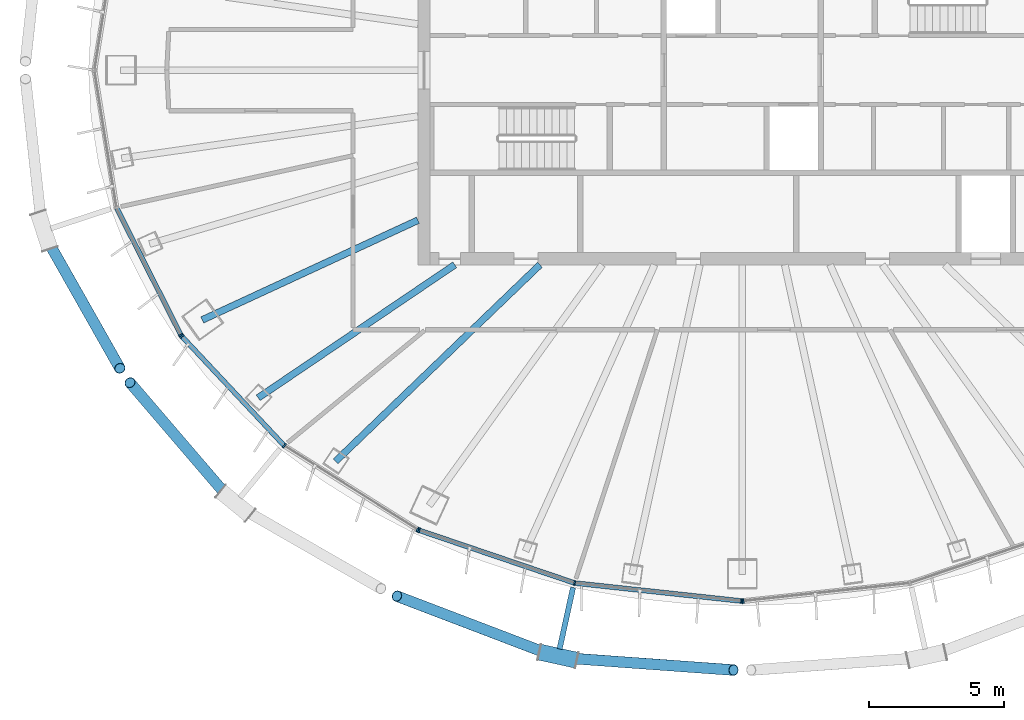
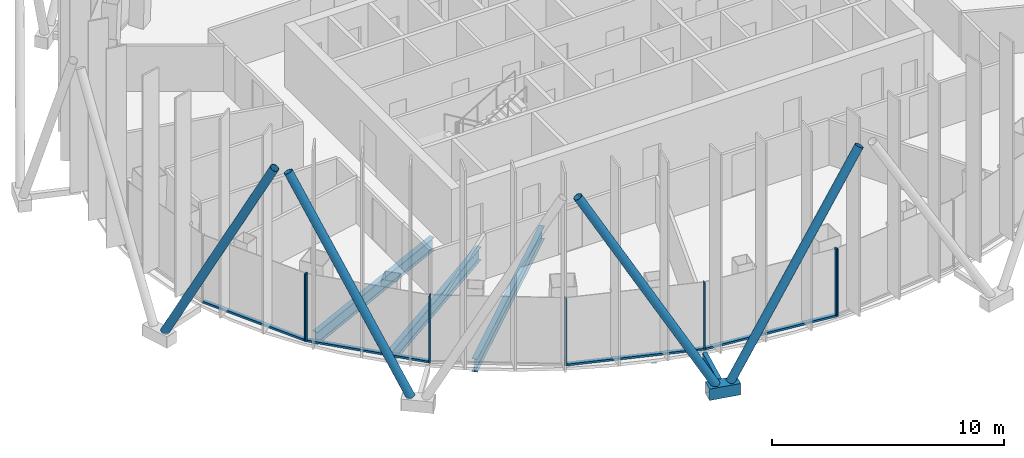
# One storey, part 2 of 18: 18 members, 3 beams, 4 elements without a shape of their own.
"""IFC4 building model written with IfcOpenShell, lengths in metres."""

from ifc_helpers import new_model, si_unit, direction, frame, origin, origin_2d, place, context, subcontext, project, spatial, rectangle, hollow_rectangle, hollow_circle, i_section, extrude, material, layer, layer_set, material_profile, profile_set, type_object, element, aggregate, save


model = new_model("IFC4")

# Units and contexts
model_context = context("Model", 3, precision=1e-05, world=origin(), true_north=direction((0.0, 1.0)))
body_context = subcontext(model_context, "Body", "Model", "MODEL_VIEW")
ifc_project = project(units=[si_unit("LENGTHUNIT", "METRE"), si_unit("AREAUNIT", "SQUARE_METRE"), si_unit("VOLUMEUNIT", "CUBIC_METRE"), si_unit("PLANEANGLEUNIT", "RADIAN"), si_unit("MASSUNIT", "GRAM", prefix="KILO")], contexts=[model_context])

# Site, building, storey
site_placement = place(None, origin())
site = spatial("IfcSite", under=ifc_project, at=site_placement, CompositionType="ELEMENT")
building_placement = place(site_placement, origin())
building = spatial("IfcBuilding", under=site, at=building_placement, Name="Siaravel Broadcast Tower", CompositionType="ELEMENT")
storey_placement = place(building_placement, frame((0.0, 0.0, 157.10009765625)))
storey = spatial("IfcBuildingStorey", under=building, at=storey_placement, Name="L37", CompositionType="ELEMENT", Elevation=157.10009765625)

# Beams
ifc_material_1 = material(Name="Steel S355", Category="steel")
ifc_material_profile_1 = material_profile(ifc_material_1, i_section(OverallWidth=0.2529296875, OverallDepth=0.677978515625, WebThickness=0.01171875, FlangeThickness=0.01611328125, FilletRadius=0.01513671875, at=origin_2d()))
ifc_profile_set_1 = profile_set([ifc_material_profile_1], Name="Steel S355")
beam_type = type_object("IfcBeamType", Name="BM-UB 686x254x125", PredefinedType="BEAM", material=ifc_profile_set_1)
beam_1_placement = place(storey_placement, frame((-19.976318359375, -9.238525390625, -0.489013671875), z_axis=(0.907641197, 0.419746896, 0.0), x_axis=(-0.419746896, 0.907641197, 0.0)))
element("IfcBeam", 1, at=beam_1_placement, inside=storey, type_object=beam_type, Name="Radial beam RB22", PredefinedType="BEAM", context=body_context, shape_type="SweptSolid", body=[
    extrude(i_section(OverallWidth=0.2529296875, OverallDepth=0.677978515625, WebThickness=0.01171875, FlangeThickness=0.01611328125, FilletRadius=0.01513671875, at=origin_2d()), origin(), (0.0, 0.0, 1.0), 8.7880859375),
])
beam_2_placement = place(storey_placement, frame((-17.906494140625, -12.119140625, -0.489013671875), z_axis=(0.82815695, 0.560496268, 0.0), x_axis=(-0.560496268, 0.82815695, 0.0)))
element("IfcBeam", 2, at=beam_2_placement, inside=storey, type_object=beam_type, Name="Radial beam RB23", PredefinedType="BEAM", context=body_context, shape_type="SweptSolid", body=[
    extrude(i_section(OverallWidth=0.2529296875, OverallDepth=0.677978515625, WebThickness=0.01171875, FlangeThickness=0.01611328125, FilletRadius=0.01513671875, at=origin_2d()), origin(), (0.0, 0.0, 1.0), 8.7763671875),
])
beam_3_placement = place(storey_placement, frame((-15.041259765625, -14.466064453125, -0.489013671875), z_axis=(0.720749365, 0.693195754, 0.0), x_axis=(-0.693195754, 0.720749365, 0.0)))
element("IfcBeam", 3, at=beam_3_placement, inside=storey, type_object=beam_type, Name="Radial beam RB24", PredefinedType="BEAM", context=body_context, shape_type="SweptSolid", body=[
    extrude(i_section(OverallWidth=0.2529296875, OverallDepth=0.677978515625, WebThickness=0.01171875, FlangeThickness=0.01611328125, FilletRadius=0.01513671875, at=origin_2d()), origin(), (0.0, 0.0, 1.0), 10.48193359375),
])

# Curtain wall, member
ifc_material_2 = material(Name="Aluminium 6063-T6", Category="aluminium")
ifc_layer = layer(ifc_material_2, 0.179931640625)
ifc_layer_set = layer_set([ifc_layer], Name="Aluminium 6063-T6")
curtain_wall_type = type_object("IfcCurtainWallType", Name="Unitised curtain wall, zone 3", PredefinedType="NOTDEFINED", material=ifc_layer_set)
curtain_wall_1_placement = place(storey_placement, origin())
curtain_wall_1 = element("IfcCurtainWall", 4, at=curtain_wall_1_placement, inside=storey, type_object=curtain_wall_type, Name="L37 Unitised curtain wall, zone 3 07", PredefinedType="NOTDEFINED")
ifc_material_profile_2 = material_profile(ifc_material_2, rectangle(XDim=0.179931640625, YDim=0.06005859375, at=origin_2d()))
ifc_profile_set_2 = profile_set([ifc_material_profile_2], Name="Aluminium 6063-T6")
member_type_1 = type_object("IfcMemberType", Name="CW-Z3 mullion", PredefinedType="MULLION", material=ifc_profile_set_2)
member_1_placement = place(storey_placement, frame((-20.763427734375, -9.795654296875, 0.0), z_axis=(0.0, 0.0, 1.0), x_axis=(0.89239259, 0.451259864, 0.0)))
member_1 = element("IfcMember", 5, at=member_1_placement, type_object=member_type_1, Name="CW-Z3 mullion 3", PredefinedType="MULLION", context=body_context, shape_type="SweptSolid", body=[
    extrude(rectangle(XDim=0.179931640625, YDim=0.06005859375, at=origin_2d()), origin(), (0.0, 0.0, 1.0), 3.5498046875),
])

# Curtain wall, members
curtain_wall_2_placement = place(storey_placement, origin())
curtain_wall_2 = element("IfcCurtainWall", 6, at=curtain_wall_2_placement, inside=storey, type_object=curtain_wall_type, Name="L37 Unitised curtain wall, zone 3 08", PredefinedType="NOTDEFINED")
member_2_placement = place(storey_placement, frame((-20.7294921875, -9.844482421875, 0.0), z_axis=(0.0, 0.0, 1.0), x_axis=(0.729806172, 0.683654117, 0.0)))
member_2 = element("IfcMember", 7, at=member_2_placement, type_object=member_type_1, Name="CW-Z3 mullion 1", PredefinedType="MULLION", context=body_context, shape_type="SweptSolid", body=[
    extrude(rectangle(XDim=0.179931640625, YDim=0.06005859375, at=origin_2d()), origin(), (0.0, 0.0, 1.0), 3.5498046875),
])
member_3_placement = place(storey_placement, frame((-16.940673828125, -13.888916015625, 0.0), z_axis=(0.0, 0.0, 1.0), x_axis=(0.63621963, 0.771507993, 0.0)))
member_3 = element("IfcMember", 8, at=member_3_placement, type_object=member_type_1, Name="CW-Z3 mullion 2", PredefinedType="MULLION", context=body_context, shape_type="SweptSolid", body=[
    extrude(rectangle(XDim=0.179931640625, YDim=0.06005859375, at=origin_2d()), origin(), (0.0, 0.0, 1.0), 3.5498046875),
])
member_4_placement = place(storey_placement, frame((-12.003173828125, -16.9921875, 0.0), z_axis=(0.0, 0.0, 1.0), x_axis=(0.532150259, 0.846649928, 0.0)))
member_4 = element("IfcMember", 9, at=member_4_placement, type_object=member_type_1, Name="CW-Z3 mullion 3", PredefinedType="MULLION", context=body_context, shape_type="SweptSolid", body=[
    extrude(rectangle(XDim=0.179931640625, YDim=0.06005859375, at=origin_2d()), origin(), (0.0, 0.0, 1.0), 3.5498046875),
])

curtain_wall_3_placement = place(storey_placement, origin())
curtain_wall_3 = element("IfcCurtainWall", 10, at=curtain_wall_3_placement, inside=storey, type_object=curtain_wall_type, Name="L37 Unitised curtain wall, zone 3 09", PredefinedType="NOTDEFINED")
member_5_placement = place(storey_placement, frame((-11.949462890625, -17.017822265625, 0.0), z_axis=(0.0, 0.0, 1.0), x_axis=(0.321301405, 0.946976983, 0.0)))
member_5 = element("IfcMember", 11, at=member_5_placement, type_object=member_type_1, Name="CW-Z3 mullion 1", PredefinedType="MULLION", context=body_context, shape_type="SweptSolid", body=[
    extrude(rectangle(XDim=0.179931640625, YDim=0.06005859375, at=origin_2d()), origin(), (0.0, 0.0, 1.0), 3.5498046875),
])
member_6_placement = place(storey_placement, frame((-6.19970703125, -18.96875, 0.0), z_axis=(0.0, 0.0, 1.0), x_axis=(0.215558612, 0.976490903, 0.0)))
member_6 = element("IfcMember", 12, at=member_6_placement, type_object=member_type_1, Name="CW-Z3 mullion 2", PredefinedType="MULLION", context=body_context, shape_type="SweptSolid", body=[
    extrude(rectangle(XDim=0.179931640625, YDim=0.06005859375, at=origin_2d()), origin(), (0.0, 0.0, 1.0), 3.5498046875),
])
member_7_placement = place(storey_placement, frame((-0.02978515625, -19.634033203125, 0.0), z_axis=(0.0, 0.0, 1.0), x_axis=(0.107217776, 0.99423556, 0.0)))
member_7 = element("IfcMember", 13, at=member_7_placement, type_object=member_type_1, Name="CW-Z3 mullion 3", PredefinedType="MULLION", context=body_context, shape_type="SweptSolid", body=[
    extrude(rectangle(XDim=0.179931640625, YDim=0.06005859375, at=origin_2d()), origin(), (0.0, 0.0, 1.0), 3.5498046875),
])

# Curtain wall, member
curtain_wall_4_placement = place(storey_placement, origin())
curtain_wall_4 = element("IfcCurtainWall", 14, at=curtain_wall_4_placement, inside=storey, type_object=curtain_wall_type, Name="L37 Unitised curtain wall, zone 3 10", PredefinedType="NOTDEFINED")
member_8_placement = place(storey_placement, frame((0.02978515625, -19.634033203125, 0.0), z_axis=(0.0, 0.0, 1.0), x_axis=(-0.107217776, 0.99423556, 0.0)))
member_8 = element("IfcMember", 15, at=member_8_placement, type_object=member_type_1, Name="CW-Z3 mullion 1", PredefinedType="MULLION", context=body_context, shape_type="SweptSolid", body=[
    extrude(rectangle(XDim=0.179931640625, YDim=0.06005859375, at=origin_2d()), origin(), (0.0, 0.0, 1.0), 3.5498046875),
])
aggregate(curtain_wall_4, [member_8])

# Member
ifc_material_profile_3 = material_profile(ifc_material_2, rectangle(XDim=0.179931640625, YDim=0.10009765625, at=origin_2d()))
ifc_profile_set_3 = profile_set([ifc_material_profile_3], Name="Aluminium 6063-T6")
member_type_2 = type_object("IfcMemberType", Name="CW-Z3 transom", PredefinedType="USERDEFINED", material=ifc_profile_set_3)
member_9_placement = place(storey_placement, frame((-23.132080078125, -5.11181640625, 0.0498046875), z_axis=(0.451269759, -0.892387586, 0.0), x_axis=(0.892387586, 0.451269759, 0.0)))
member_9 = element("IfcMember", 16, at=member_9_placement, type_object=member_type_2, Name="CW-Z3 transom 2", ObjectType="TRANSOM", PredefinedType="USERDEFINED", context=body_context, shape_type="SweptSolid", body=[
    extrude(rectangle(XDim=0.179931640625, YDim=0.10009765625, at=origin_2d()), origin(), (0.0, 0.0, 1.0), 5.218505859375),
])

aggregate(curtain_wall_1, [member_1, member_9])

member_10_placement = place(storey_placement, frame((-20.708984375, -9.8662109375, 0.0498046875), z_axis=(0.68363887, -0.729820454, 0.0), x_axis=(0.729820454, 0.68363887, 0.0)))
member_10 = element("IfcMember", 17, at=member_10_placement, type_object=member_type_2, Name="CW-Z3 transom 1", ObjectType="TRANSOM", PredefinedType="USERDEFINED", context=body_context, shape_type="SweptSolid", body=[
    extrude(rectangle(XDim=0.179931640625, YDim=0.10009765625, at=origin_2d()), origin(), (0.0, 0.0, 1.0), 5.482177734375),
])

aggregate(curtain_wall_2, [member_2, member_3, member_4, member_10])

member_11_placement = place(storey_placement, frame((-11.9208984375, -17.027587890625, 0.0498046875), z_axis=(0.946980245, -0.321291792, 0.0), x_axis=(0.321291792, 0.946980245, 0.0)))
member_11 = element("IfcMember", 18, at=member_11_placement, type_object=member_type_2, Name="CW-Z3 transom 1", ObjectType="TRANSOM", PredefinedType="USERDEFINED", context=body_context, shape_type="SweptSolid", body=[
    extrude(rectangle(XDim=0.179931640625, YDim=0.10009765625, at=origin_2d()), origin(), (0.0, 0.0, 1.0), 6.01123046875),
])

member_12_placement = place(storey_placement, frame((-6.169921875, -18.971923828125, 0.0498046875), z_axis=(0.994235123, -0.107221824, 0.0), x_axis=(0.107221824, 0.994235123, 0.0)))
member_12 = element("IfcMember", 19, at=member_12_placement, type_object=member_type_2, Name="CW-Z3 transom 2", ObjectType="TRANSOM", PredefinedType="USERDEFINED", context=body_context, shape_type="SweptSolid", body=[
    extrude(rectangle(XDim=0.179931640625, YDim=0.10009765625, at=origin_2d()), origin(), (0.0, 0.0, 1.0), 6.1455078125),
])

aggregate(curtain_wall_3, [member_5, member_6, member_7, member_11, member_12])

# Members
ifc_material_3 = material(Name="Steel S460", Category="steel")
ifc_material_profile_4 = material_profile(ifc_material_3, hollow_circle(Radius=0.203125, WallThickness=0.01611328125, at=origin_2d()))
ifc_profile_set_4 = profile_set([ifc_material_profile_4], Name="Steel S460")
member_type_3 = type_object("IfcMemberType", Name="Diagrid diagonal CHS 406.4x16", PredefinedType="BRACE", material=ifc_profile_set_4)
member_13_placement = place(storey_placement, frame((-25.729248046875, -6.24267578125, 0.06982421875), z_axis=(0.227518555, -0.401864003, 0.886984008), x_axis=(0.870211955, 0.492677534, 0.0)))
element("IfcMember", 20, at=member_13_placement, inside=storey, type_object=member_type_3, Name="Diagrid diagonal R16 station 39A", PredefinedType="BRACE", context=body_context, shape_type="SweptSolid", body=[
    extrude(hollow_circle(Radius=0.203125, WallThickness=0.01611328125, at=origin_2d()), origin(), (0.0, 0.0, 1.0), 11.905517578125),
])
member_14_placement = place(storey_placement, frame((-18.997802734375, -15.81298828125, 0.06982421875), z_axis=(-0.305263553, 0.356045523, 0.883201987), x_axis=(-0.759170544, -0.650891761, 0.0)))
element("IfcMember", 21, at=member_14_placement, inside=storey, type_object=member_type_3, Name="Diagrid diagonal R16 station 45C", PredefinedType="BRACE", context=body_context, shape_type="SweptSolid", body=[
    extrude(hollow_circle(Radius=0.203125, WallThickness=0.01611328125, at=origin_2d()), origin(), (0.0, 0.0, 1.0), 11.95654296875),
])
member_15_placement = place(storey_placement, frame((-7.13232421875, -21.603515625, 0.06982421875), z_axis=(-0.463875275, 0.176868253, 0.868065291), x_axis=(-0.35626596, -0.934384592, 0.0)))
element("IfcMember", 22, at=member_15_placement, inside=storey, type_object=member_type_3, Name="Diagrid diagonal R16 station 51C", PredefinedType="BRACE", context=body_context, shape_type="SweptSolid", body=[
    extrude(hollow_circle(Radius=0.203125, WallThickness=0.01611328125, at=origin_2d()), origin(), (0.0, 0.0, 1.0), 12.1650390625),
])
member_16_placement = place(storey_placement, frame((-6.50048828125, -21.742431640625, 0.06982421875), z_axis=(0.504572058, -0.036335729, 0.862604633), x_axis=(0.071826962, 0.997417108, 0.0)))
element("IfcMember", 23, at=member_16_placement, inside=storey, type_object=member_type_3, Name="Diagrid diagonal R16 station 51A", PredefinedType="BRACE", context=body_context, shape_type="SweptSolid", body=[
    extrude(hollow_circle(Radius=0.203125, WallThickness=0.01611328125, at=origin_2d()), origin(), (0.0, 0.0, 1.0), 12.241943359375),
])
ifc_material_profile_5 = material_profile(ifc_material_3, hollow_rectangle(XDim=0.60009765625, YDim=0.60009765625, WallThickness=0.0400390625, at=origin_2d()))
ifc_profile_set_5 = profile_set([ifc_material_profile_5], Name="Steel S460")
member_type_4 = type_object("IfcMemberType", Name="Diagrid node BOX 600x600x40", PredefinedType="USERDEFINED", material=ifc_profile_set_5)
member_17_placement = place(storey_placement, frame((-7.5, -21.52294921875, -0.2001953125), z_axis=(0.976754142, -0.21436265, 0.0), x_axis=(0.21436265, 0.976754142, 0.0)))
element("IfcMember", 24, at=member_17_placement, inside=storey, type_object=member_type_4, Name="Diagrid node R16 station 51", ObjectType="DIAGRID NODE", PredefinedType="USERDEFINED", context=body_context, shape_type="SweptSolid", body=[
    extrude(hollow_rectangle(XDim=0.60009765625, YDim=0.60009765625, WallThickness=0.0400390625, at=origin_2d()), origin(), (0.0, 0.0, 1.0), 1.399658203125),
])
ifc_material_profile_6 = material_profile(ifc_material_3, hollow_rectangle(XDim=0.199951171875, YDim=0.300048828125, WallThickness=0.012451171875, at=origin_2d()))
ifc_profile_set_6 = profile_set([ifc_material_profile_6], Name="Steel S460")
member_type_5 = type_object("IfcMemberType", Name="Diagrid node arm RHS 300x200x12.5", PredefinedType="STRUT", material=ifc_profile_set_6)
member_18_placement = place(storey_placement, frame((-6.259033203125, -19.13330078125, -0.2001953125), z_axis=(-0.214378037, -0.976750765, 0.0), x_axis=(0.976750765, -0.214378037, 0.0)))
element("IfcMember", 25, at=member_18_placement, inside=storey, type_object=member_type_5, Name="Node arm R16 station 51", PredefinedType="STRUT", context=body_context, shape_type="SweptSolid", body=[
    extrude(hollow_rectangle(XDim=0.199951171875, YDim=0.300048828125, WallThickness=0.012451171875, at=origin_2d()), origin(), (0.0, 0.0, 1.0), 2.330078125),
])

save(model, "model.ifc")
